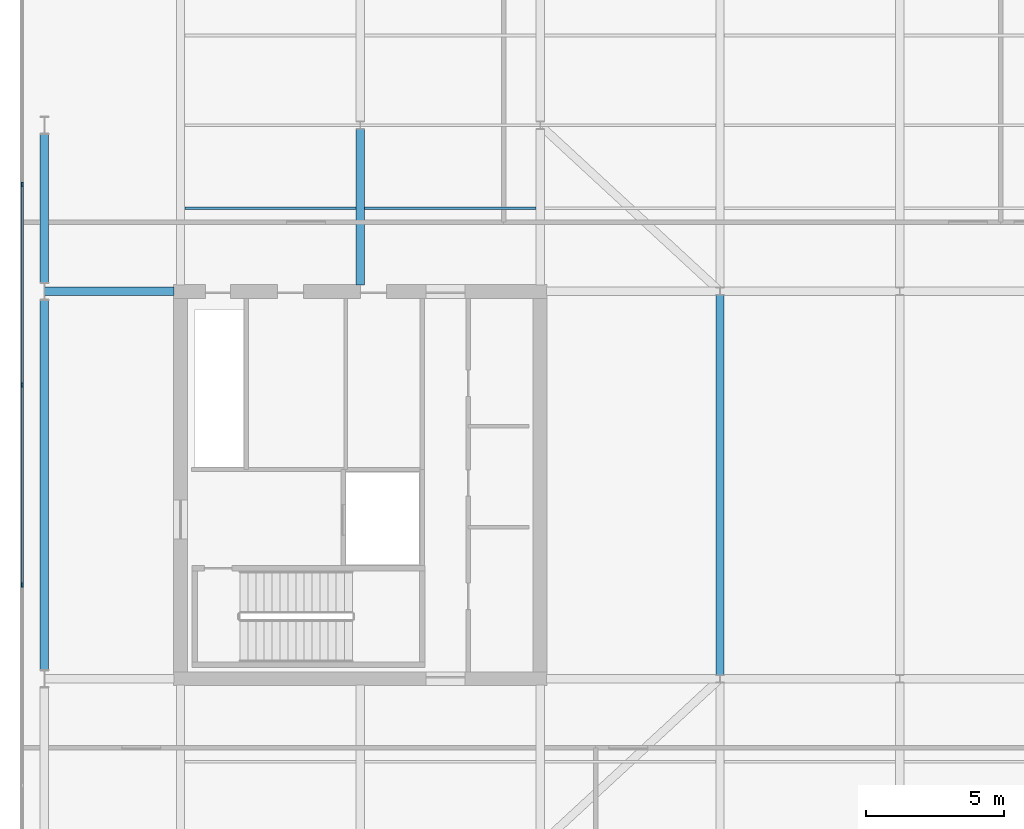
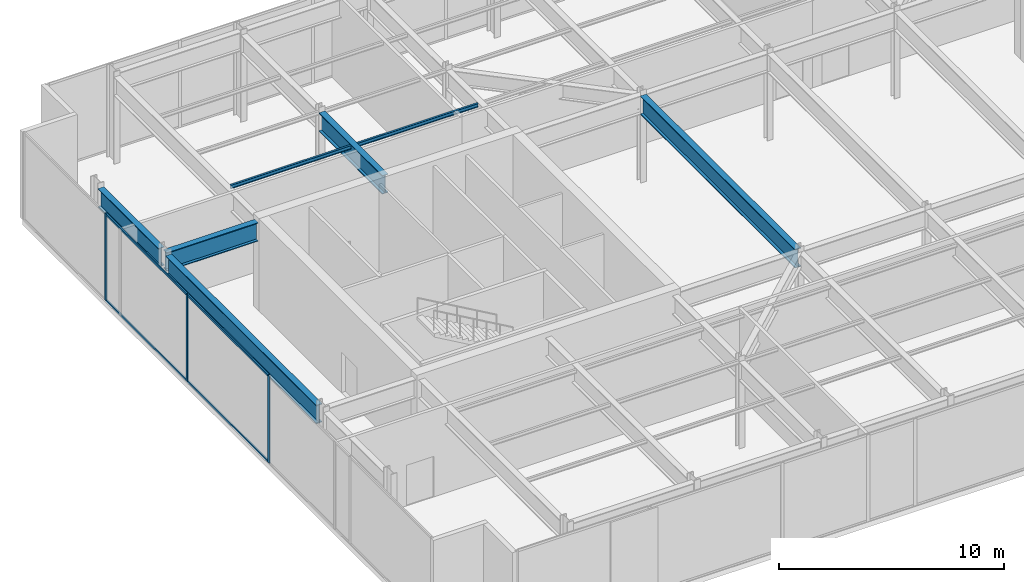
# One storey, part 7 of 23: 7 beams, 7 members, 1 element without a shape of its own.
"""IFC4 building model written with IfcOpenShell, lengths in metres."""

from ifc_helpers import new_model, si_unit, direction, frame, origin, origin_2d, place, context, subcontext, project, spatial, rectangle, i_section, extrude, material, layer, layer_set, material_profile, profile_set, type_object, element, aggregate, save


model = new_model("IFC4")

# Units and contexts
model_context = context("Model", 3, precision=1e-05, world=origin(), true_north=direction((0.0, 1.0)))
body_context = subcontext(model_context, "Body", "Model", "MODEL_VIEW")
ifc_project = project(units=[si_unit("LENGTHUNIT", "METRE"), si_unit("AREAUNIT", "SQUARE_METRE"), si_unit("VOLUMEUNIT", "CUBIC_METRE"), si_unit("PLANEANGLEUNIT", "RADIAN"), si_unit("MASSUNIT", "GRAM", prefix="KILO")], contexts=[model_context])

# Site, building, storey
site_placement = place(None, origin())
site = spatial("IfcSite", under=ifc_project, at=site_placement, CompositionType="ELEMENT")
building_placement = place(site_placement, origin())
building = spatial("IfcBuilding", under=site, at=building_placement, Name="Putna Gate Headquarters", CompositionType="ELEMENT")
storey_placement = place(building_placement, frame((0.0, 0.0, 310.39990234375)))
storey = spatial("IfcBuildingStorey", under=building, at=storey_placement, Name="L78", CompositionType="ELEMENT", Elevation=310.39990234375)

# Beams
ifc_material_1 = material(Name="Steel S355J2", Category="steel")
ifc_material_profile_1 = material_profile(ifc_material_1, i_section(OverallWidth=0.10009765625, OverallDepth=0.199951171875, WebThickness=0.005615234375, FlangeThickness=0.008544921875, at=origin_2d()), Name="Steel S355J2")
ifc_profile_set_1 = profile_set([ifc_material_profile_1], Name="Steel S355J2")
beam_type_1 = type_object("IfcBeamType", Name="BM-SEC-PLT-IPE200", PredefinedType="JOIST", material=ifc_profile_set_1)
for number, where, z_axis, x_axis, name in (
    (1, (13.155029296875, 36.0, 4.6201171875), (1.0, 0.0, 0.0), (0.0, 1.0, 0.0), "L78 North Secondary Beam 1"),
    (2, (19.655029296875, 36.0, 4.6201171875), (1.0, 0.0, 0.0), (0.0, 1.0, 0.0), "L78 North Secondary Beam 2"),
):
    element("IfcBeam", number, at=place(storey_placement, frame(where, z_axis=z_axis, x_axis=x_axis)), inside=storey, type_object=beam_type_1, Name=name, PredefinedType="JOIST", context=body_context, shape_type="SweptSolid", body=[
        extrude(i_section(OverallWidth=0.10009765625, OverallDepth=0.199951171875, WebThickness=0.005615234375, FlangeThickness=0.008544921875, at=origin_2d()), origin(), (0.0, 0.0, 1.0), 6.18994140625),
    ])
ifc_material_2 = material(Name="Steel S460M", Category="steel")
ifc_material_profile_2 = material_profile(ifc_material_2, i_section(OverallWidth=0.302001953125, OverallDepth=1.008056640625, WebThickness=0.02099609375, FlangeThickness=0.0400390625, at=origin_2d()), Name="Steel S460M")
ifc_profile_set_2 = profile_set([ifc_material_profile_2], Name="Steel S460M")
beam_type_2 = type_object("IfcBeamType", Name="BM-TG-HEM1000", PredefinedType="USERDEFINED", material=ifc_profile_set_2)
beam_1_placement = place(storey_placement, frame((8.0859375, 33.0, 4.216064453125), z_axis=(1.0, 0.0, 0.0), x_axis=(0.0, 1.0, 0.0)))
element("IfcBeam", 3, at=beam_1_placement, inside=storey, type_object=beam_type_2, Name="L78 West Wing Girder Y33", ObjectType="GIRDER", PredefinedType="USERDEFINED", context=body_context, shape_type="SweptSolid", body=[
    extrude(i_section(OverallWidth=0.302001953125, OverallDepth=1.008056640625, WebThickness=0.02099609375, FlangeThickness=0.0400390625, at=origin_2d()), origin(), (0.0, 0.0, 1.0), 4.678955078125),
])
beam_2_placement = place(storey_placement, frame((19.5, 33.235107421875, 4.216064453125), z_axis=(0.0, 1.0, 0.0), x_axis=(-1.0, 0.0, 0.0)))
element("IfcBeam", 4, at=beam_2_placement, inside=storey, type_object=beam_type_2, Name="L78 North Primary Girder X19-1", ObjectType="GIRDER", PredefinedType="USERDEFINED", context=body_context, shape_type="SweptSolid", body=[
    extrude(i_section(OverallWidth=0.302001953125, OverallDepth=1.008056640625, WebThickness=0.02099609375, FlangeThickness=0.0400390625, at=origin_2d()), origin(), (0.0, 0.0, 1.0), 5.626953125),
])
beam_3_placement = place(storey_placement, frame((32.5, 19.137939453125, 4.216064453125), z_axis=(0.0, 1.0, 0.0), x_axis=(-1.0, 0.0, 0.0)))
element("IfcBeam", 5, at=beam_3_placement, inside=storey, type_object=beam_type_2, Name="L78 Plant Floor Central Tie Girder X32", ObjectType="GIRDER", PredefinedType="USERDEFINED", context=body_context, shape_type="SweptSolid", body=[
    extrude(i_section(OverallWidth=0.302001953125, OverallDepth=1.008056640625, WebThickness=0.02099609375, FlangeThickness=0.0400390625, at=origin_2d()), origin(), (0.0, 0.0, 1.0), 13.72412109375),
])
ifc_material_profile_3 = material_profile(ifc_material_2, i_section(OverallWidth=0.302001953125, OverallDepth=1.008056640625, WebThickness=0.02099609375, FlangeThickness=0.0400390625, at=origin_2d()), Name="Steel S460M")
ifc_profile_set_3 = profile_set([ifc_material_profile_3], Name="Steel S460M")
beam_type_3 = type_object("IfcBeamType", Name="BM-TG-HEM1000-EXT", PredefinedType="USERDEFINED", material=ifc_profile_set_3)
beam_4_placement = place(storey_placement, frame((8.080078125, 19.322021484375, 4.216064453125), z_axis=(0.0, 1.0, 0.0), x_axis=(-1.0, 0.0, 0.0)))
element("IfcBeam", 6, at=beam_4_placement, inside=storey, type_object=beam_type_3, Name="L78 W End Spandrel 2", ObjectType="GIRDER", PredefinedType="USERDEFINED", context=body_context, shape_type="SweptSolid", body=[
    extrude(i_section(OverallWidth=0.302001953125, OverallDepth=1.008056640625, WebThickness=0.02099609375, FlangeThickness=0.0400390625, at=origin_2d()), origin(), (0.0, 0.0, 1.0), 13.35595703125),
])
beam_5_placement = place(storey_placement, frame((8.080078125, 33.322021484375, 4.216064453125), z_axis=(0.0, 1.0, 0.0), x_axis=(-1.0, 0.0, 0.0)))
element("IfcBeam", 7, at=beam_5_placement, inside=storey, type_object=beam_type_3, Name="L78 W End Spandrel 3", ObjectType="GIRDER", PredefinedType="USERDEFINED", context=body_context, shape_type="SweptSolid", body=[
    extrude(i_section(OverallWidth=0.302001953125, OverallDepth=1.008056640625, WebThickness=0.02099609375, FlangeThickness=0.0400390625, at=origin_2d()), origin(), (0.0, 0.0, 1.0), 5.35595703125),
])

# Curtain wall, members
ifc_material_3 = material(Name="Anodised bronze aluminium curtain wall", Category="aluminium")
ifc_layer = layer(ifc_material_3, 0.159912109375)
ifc_layer_set = layer_set([ifc_layer], Name="Anodised bronze aluminium curtain wall")
curtain_wall_type = type_object("IfcCurtainWallType", Name="CW-SYS-CRN", PredefinedType="USERDEFINED", material=ifc_layer_set)
curtain_wall_placement = place(storey_placement, origin())
curtain_wall = element("IfcCurtainWall", 8, at=curtain_wall_placement, inside=storey, type_object=curtain_wall_type, Name="L78 Acoustic Louvre West Enclosure", ObjectType="STICK CURTAIN WALL", PredefinedType="USERDEFINED")
ifc_material_4 = material(Name="Anodised bronze aluminium EN AW-6060", Category="aluminium")
ifc_material_profile_4 = material_profile(ifc_material_4, rectangle(XDim=0.06494140625, YDim=0.159912109375, at=origin_2d()), Name="Anodised bronze aluminium EN AW-6060")
ifc_profile_set_4 = profile_set([ifc_material_profile_4], Name="Anodised bronze aluminium EN AW-6060")
member_type_1 = type_object("IfcMemberType", Name="MULL-CWM-CR", PredefinedType="MULLION", material=ifc_profile_set_4)
member_1_placement = place(storey_placement, frame((7.280029296875, 22.3798828125, 0.0), z_axis=(0.0, 0.0, 1.0), x_axis=(-1.0, 0.0, 0.0)))
member_1 = element("IfcMember", 9, at=member_1_placement, type_object=member_type_1, Name="CWS-CR mullion 3", PredefinedType="MULLION", context=body_context, shape_type="SweptSolid", body=[
    extrude(rectangle(XDim=0.06494140625, YDim=0.159912109375, at=origin_2d()), origin(), (0.0, 0.0, 1.0), 4.72021484375),
])
member_2_placement = place(storey_placement, frame((7.280029296875, 29.6201171875, 0.0), z_axis=(0.0, 0.0, 1.0), x_axis=(-1.0, 0.0, 0.0)))
member_2 = element("IfcMember", 10, at=member_2_placement, type_object=member_type_1, Name="CWS-CR mullion 4", PredefinedType="MULLION", context=body_context, shape_type="SweptSolid", body=[
    extrude(rectangle(XDim=0.06494140625, YDim=0.159912109375, at=origin_2d()), origin(), (0.0, 0.0, 1.0), 4.72021484375),
])
member_3_placement = place(storey_placement, frame((7.280029296875, 36.860107421875, 0.0), z_axis=(0.0, 0.0, 1.0), x_axis=(-1.0, 0.0, 0.0)))
member_3 = element("IfcMember", 11, at=member_3_placement, type_object=member_type_1, Name="CWS-CR mullion 5", PredefinedType="MULLION", context=body_context, shape_type="SweptSolid", body=[
    extrude(rectangle(XDim=0.06494140625, YDim=0.159912109375, at=origin_2d()), origin(), (0.0, 0.0, 1.0), 4.72021484375),
])
ifc_material_profile_5 = material_profile(ifc_material_4, rectangle(XDim=0.06494140625, YDim=0.1201171875, at=origin_2d()), Name="Anodised bronze aluminium EN AW-6060")
ifc_profile_set_5 = profile_set([ifc_material_profile_5], Name="Anodised bronze aluminium EN AW-6060")
member_type_2 = type_object("IfcMemberType", Name="TRAN-CWT-CR", PredefinedType="USERDEFINED", material=ifc_profile_set_5)
member_4_placement = place(storey_placement, frame((7.280029296875, 22.41259765625, 0.03271484375), z_axis=(0.0, 1.0, 0.0), x_axis=(-1.0, 0.0, 0.0)))
member_4 = element("IfcMember", 12, at=member_4_placement, type_object=member_type_2, Name="CWS-CR transom 3.1", ObjectType="TRANSOM", PredefinedType="USERDEFINED", context=body_context, shape_type="SweptSolid", body=[
    extrude(rectangle(XDim=0.06494140625, YDim=0.1201171875, at=origin_2d()), origin(), (0.0, 0.0, 1.0), 7.1748046875),
])
member_5_placement = place(storey_placement, frame((7.280029296875, 22.41259765625, 4.6875), z_axis=(0.0, 1.0, 0.0), x_axis=(-1.0, 0.0, 0.0)))
member_5 = element("IfcMember", 13, at=member_5_placement, type_object=member_type_2, Name="CWS-CR transom 3.2", ObjectType="TRANSOM", PredefinedType="USERDEFINED", context=body_context, shape_type="SweptSolid", body=[
    extrude(rectangle(XDim=0.06494140625, YDim=0.1201171875, at=origin_2d()), origin(), (0.0, 0.0, 1.0), 7.1748046875),
])
member_6_placement = place(storey_placement, frame((7.280029296875, 29.652587890625, 0.03271484375), z_axis=(0.0, 1.0, 0.0), x_axis=(-1.0, 0.0, 0.0)))
member_6 = element("IfcMember", 14, at=member_6_placement, type_object=member_type_2, Name="CWS-CR transom 4.1", ObjectType="TRANSOM", PredefinedType="USERDEFINED", context=body_context, shape_type="SweptSolid", body=[
    extrude(rectangle(XDim=0.06494140625, YDim=0.1201171875, at=origin_2d()), origin(), (0.0, 0.0, 1.0), 7.1748046875),
])
member_7_placement = place(storey_placement, frame((7.280029296875, 29.652587890625, 4.6875), z_axis=(0.0, 1.0, 0.0), x_axis=(-1.0, 0.0, 0.0)))
member_7 = element("IfcMember", 15, at=member_7_placement, type_object=member_type_2, Name="CWS-CR transom 4.2", ObjectType="TRANSOM", PredefinedType="USERDEFINED", context=body_context, shape_type="SweptSolid", body=[
    extrude(rectangle(XDim=0.06494140625, YDim=0.1201171875, at=origin_2d()), origin(), (0.0, 0.0, 1.0), 7.1748046875),
])
aggregate(curtain_wall, [member_1, member_2, member_3, member_4, member_5, member_6, member_7])

save(model, "model.ifc")
